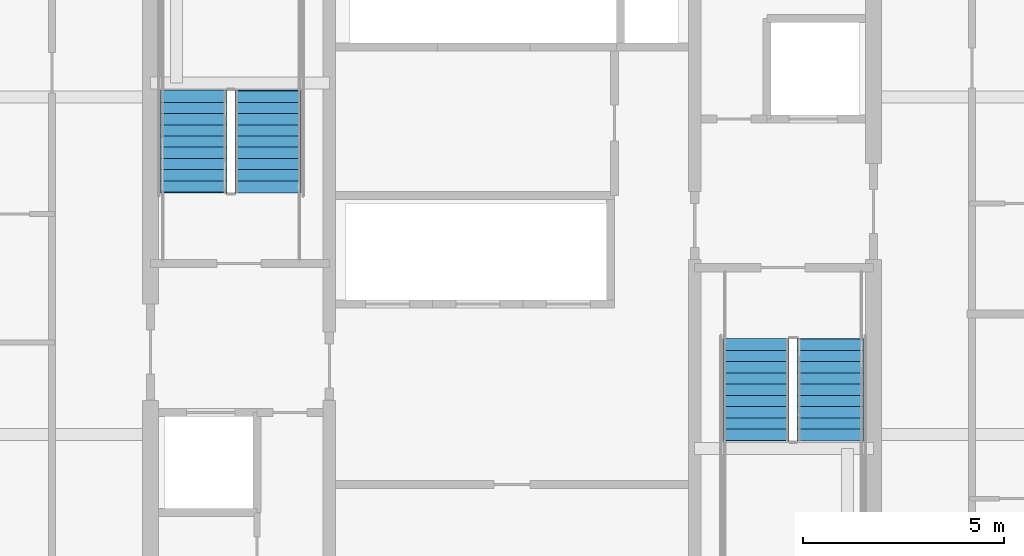
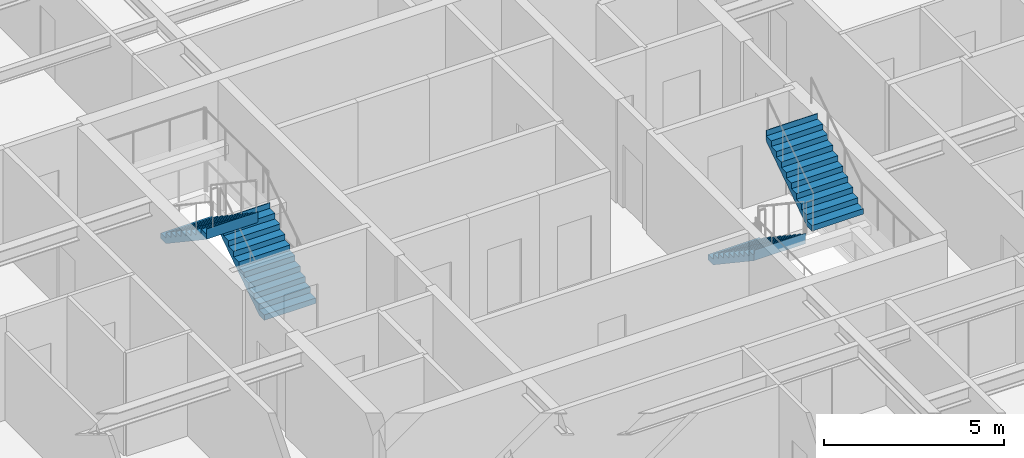
# One storey, part 33 of 38: 4 stair flights, 2 elements without a shape of their own.
"""IFC4 building model written with IfcOpenShell, lengths in metres."""

from ifc_helpers import new_model, si_unit, direction, frame, origin, place, context, subcontext, project, spatial, polygons, material, type_object, element, aggregate, save


model = new_model("IFC4")

# Units and contexts
model_context = context("Model", 3, precision=1e-05, world=origin(), true_north=direction((0.0, 1.0)))
body_context = subcontext(model_context, "Body", "Model", "MODEL_VIEW")
ifc_project = project(units=[si_unit("LENGTHUNIT", "METRE"), si_unit("AREAUNIT", "SQUARE_METRE"), si_unit("VOLUMEUNIT", "CUBIC_METRE"), si_unit("PLANEANGLEUNIT", "RADIAN"), si_unit("MASSUNIT", "GRAM", prefix="KILO")], contexts=[model_context])

# Site, building, storey
site_placement = place(None, origin())
site = spatial("IfcSite", under=ifc_project, at=site_placement, CompositionType="ELEMENT")
building_placement = place(site_placement, origin())
building = spatial("IfcBuilding", under=site, at=building_placement, Name="Serunith Strait Residences", CompositionType="ELEMENT")
storey_placement = place(building_placement, frame((0.0, 0.0, 183.89990234375)))
storey = spatial("IfcBuildingStorey", under=building, at=storey_placement, Name="L46", CompositionType="ELEMENT", Elevation=183.89990234375)

# Stair, stair flights
ifc_material = material(Name="Concrete C50/60", Category="concrete")
stair_type_1 = type_object("IfcStairType", Name="STR-CORE-1", PredefinedType="HALF_TURN_STAIR", material=ifc_material)
stair_1_placement = place(storey_placement, origin())
stair_1 = element("IfcStair", 1, at=stair_1_placement, inside=storey, type_object=stair_type_1, Name="L46 Protected Escape Stair ST-1", PredefinedType="HALF_TURN_STAIR")
stair_flight_type_1 = type_object("IfcStairFlightType", Name="FLT-CORE-1", PredefinedType="STRAIGHT", material=ifc_material)
stair_flight_1_placement = place(storey_placement, frame((26.324951171875, 27.030029296875, 0.0), z_axis=(0.0, 0.0, 1.0), x_axis=(0.0, 1.0, 0.0)))
stair_flight_1 = element("IfcStairFlight", 2, at=stair_flight_1_placement, type_object=stair_flight_type_1, Name="ST-1 flight 1", NumberOfRisers=10, NumberOfTreads=9, PredefinedType="STRAIGHT", RiserHeight=0.1875, TreadLength=0.28, context=body_context, shape_type="Tessellation", body=[
    polygons([(-0.02001953125, -0.824951171875, 0.0), (-0.02001953125, -0.824951171875, 0.1875), (0.280029296875, -0.824951171875, 0.1875), (0.280029296875, -0.824951171875, 0.375), (0.56005859375, -0.824951171875, 0.375), (0.56005859375, -0.824951171875, 0.5625), (0.840087890625, -0.824951171875, 0.5625), (0.840087890625, -0.824951171875, 0.75), (1.1201171875, -0.824951171875, 0.75), (1.1201171875, -0.824951171875, 0.9375), (1.39990234375, -0.824951171875, 0.9375), (1.39990234375, -0.824951171875, 1.125), (1.679931640625, -0.824951171875, 1.125), (1.679931640625, -0.824951171875, 1.3125), (1.9599609375, -0.824951171875, 1.3125), (1.9599609375, -0.824951171875, 1.5), (2.239990234375, -0.824951171875, 1.5), (2.239990234375, -0.824951171875, 1.6875), (2.52001953125, -0.824951171875, 1.6875), (2.52001953125, -0.824951171875, 1.875), (2.5400390625, -0.824951171875, 1.875), (2.5400390625, -0.824951171875, 1.81494140625), (2.52001953125, -0.824951171875, 1.507080078125), (0.26953125, -0.824951171875, 0.0), (-0.02001953125, -0.41259765625, 0.0), (-0.02001953125, -0.41259765625, 0.1875), (0.280029296875, -0.41259765625, 0.1875), (0.280029296875, -0.41259765625, 0.375), (0.56005859375, -0.41259765625, 0.375), (0.56005859375, -0.41259765625, 0.5625), (0.840087890625, -0.41259765625, 0.5625), (0.840087890625, -0.41259765625, 0.75), (1.1201171875, -0.41259765625, 0.75), (1.1201171875, -0.41259765625, 0.9375), (1.39990234375, -0.41259765625, 0.9375), (1.39990234375, -0.41259765625, 1.125), (1.679931640625, -0.41259765625, 1.125), (1.679931640625, -0.41259765625, 1.3125), (1.9599609375, -0.41259765625, 1.3125), (1.9599609375, -0.41259765625, 1.5), (2.239990234375, -0.41259765625, 1.5), (2.239990234375, -0.41259765625, 1.6875), (2.52001953125, -0.41259765625, 1.6875), (2.52001953125, -0.41259765625, 1.875), (2.5400390625, -0.41259765625, 1.875), (2.5400390625, -0.41259765625, 1.81494140625), (2.52001953125, -0.41259765625, 1.507080078125), (0.26953125, -0.41259765625, 0.0), (-0.02001953125, 0.0, 0.0), (-0.02001953125, 0.0, 0.1875), (0.280029296875, 0.0, 0.1875), (0.280029296875, 0.0, 0.375), (0.56005859375, 0.0, 0.375), (0.56005859375, 0.0, 0.5625), (0.840087890625, 0.0, 0.5625), (0.840087890625, 0.0, 0.75), (1.1201171875, 0.0, 0.75), (1.1201171875, 0.0, 0.9375), (1.39990234375, 0.0, 0.9375), (1.39990234375, 0.0, 1.125), (1.679931640625, 0.0, 1.125), (1.679931640625, 0.0, 1.3125), (1.9599609375, 0.0, 1.3125), (1.9599609375, 0.0, 1.5), (2.239990234375, 0.0, 1.5), (2.239990234375, 0.0, 1.6875), (2.52001953125, 0.0, 1.6875), (2.52001953125, 0.0, 1.875), (2.5400390625, 0.0, 1.875), (2.5400390625, 0.0, 1.81494140625), (2.52001953125, 0.0, 1.507080078125), (0.26953125, 0.0, 0.0), (-0.02001953125, 0.41259765625, 0.0), (-0.02001953125, 0.41259765625, 0.1875), (0.280029296875, 0.41259765625, 0.1875), (0.280029296875, 0.41259765625, 0.375), (0.56005859375, 0.41259765625, 0.375), (0.56005859375, 0.41259765625, 0.5625), (0.840087890625, 0.41259765625, 0.5625), (0.840087890625, 0.41259765625, 0.75), (1.1201171875, 0.41259765625, 0.75), (1.1201171875, 0.41259765625, 0.9375), (1.39990234375, 0.41259765625, 0.9375), (1.39990234375, 0.41259765625, 1.125), (1.679931640625, 0.41259765625, 1.125), (1.679931640625, 0.41259765625, 1.3125), (1.9599609375, 0.41259765625, 1.3125), (1.9599609375, 0.41259765625, 1.5), (2.239990234375, 0.41259765625, 1.5), (2.239990234375, 0.41259765625, 1.6875), (2.52001953125, 0.41259765625, 1.6875), (2.52001953125, 0.41259765625, 1.875), (2.5400390625, 0.41259765625, 1.875), (2.5400390625, 0.41259765625, 1.81494140625), (2.52001953125, 0.41259765625, 1.507080078125), (0.26953125, 0.41259765625, 0.0), (-0.02001953125, 0.824951171875, 0.0), (-0.02001953125, 0.824951171875, 0.1875), (0.280029296875, 0.824951171875, 0.1875), (0.280029296875, 0.824951171875, 0.375), (0.56005859375, 0.824951171875, 0.375), (0.56005859375, 0.824951171875, 0.5625), (0.840087890625, 0.824951171875, 0.5625), (0.840087890625, 0.824951171875, 0.75), (1.1201171875, 0.824951171875, 0.75), (1.1201171875, 0.824951171875, 0.9375), (1.39990234375, 0.824951171875, 0.9375), (1.39990234375, 0.824951171875, 1.125), (1.679931640625, 0.824951171875, 1.125), (1.679931640625, 0.824951171875, 1.3125), (1.9599609375, 0.824951171875, 1.3125), (1.9599609375, 0.824951171875, 1.5), (2.239990234375, 0.824951171875, 1.5), (2.239990234375, 0.824951171875, 1.6875), (2.52001953125, 0.824951171875, 1.6875), (2.52001953125, 0.824951171875, 1.875), (2.5400390625, 0.824951171875, 1.875), (2.5400390625, 0.824951171875, 1.81494140625), (2.52001953125, 0.824951171875, 1.507080078125), (0.26953125, 0.824951171875, 0.0)], [[[1, 2, 26, 25]], [[2, 3, 27, 26]], [[3, 4, 28, 27]], [[4, 5, 29, 28]], [[5, 6, 30, 29]], [[6, 7, 31, 30]], [[7, 8, 32, 31]], [[8, 9, 33, 32]], [[9, 10, 34, 33]], [[10, 11, 35, 34]], [[11, 12, 36, 35]], [[12, 13, 37, 36]], [[13, 14, 38, 37]], [[14, 15, 39, 38]], [[15, 16, 40, 39]], [[16, 17, 41, 40]], [[17, 18, 42, 41]], [[18, 19, 43, 42]], [[19, 20, 44, 43]], [[20, 21, 45, 44]], [[21, 22, 46, 45]], [[22, 23, 47, 46]], [[23, 24, 48, 47]], [[24, 1, 25, 48]], [[25, 26, 50, 49]], [[26, 27, 51, 50]], [[27, 28, 52, 51]], [[28, 29, 53, 52]], [[29, 30, 54, 53]], [[30, 31, 55, 54]], [[31, 32, 56, 55]], [[32, 33, 57, 56]], [[33, 34, 58, 57]], [[34, 35, 59, 58]], [[35, 36, 60, 59]], [[36, 37, 61, 60]], [[37, 38, 62, 61]], [[38, 39, 63, 62]], [[39, 40, 64, 63]], [[40, 41, 65, 64]], [[41, 42, 66, 65]], [[42, 43, 67, 66]], [[43, 44, 68, 67]], [[44, 45, 69, 68]], [[45, 46, 70, 69]], [[46, 47, 71, 70]], [[47, 48, 72, 71]], [[48, 25, 49, 72]], [[49, 50, 74, 73]], [[50, 51, 75, 74]], [[51, 52, 76, 75]], [[52, 53, 77, 76]], [[53, 54, 78, 77]], [[54, 55, 79, 78]], [[55, 56, 80, 79]], [[56, 57, 81, 80]], [[57, 58, 82, 81]], [[58, 59, 83, 82]], [[59, 60, 84, 83]], [[60, 61, 85, 84]], [[61, 62, 86, 85]], [[62, 63, 87, 86]], [[63, 64, 88, 87]], [[64, 65, 89, 88]], [[65, 66, 90, 89]], [[66, 67, 91, 90]], [[67, 68, 92, 91]], [[68, 69, 93, 92]], [[69, 70, 94, 93]], [[70, 71, 95, 94]], [[71, 72, 96, 95]], [[72, 49, 73, 96]], [[73, 74, 98, 97]], [[74, 75, 99, 98]], [[75, 76, 100, 99]], [[76, 77, 101, 100]], [[77, 78, 102, 101]], [[78, 79, 103, 102]], [[79, 80, 104, 103]], [[80, 81, 105, 104]], [[81, 82, 106, 105]], [[82, 83, 107, 106]], [[83, 84, 108, 107]], [[84, 85, 109, 108]], [[85, 86, 110, 109]], [[86, 87, 111, 110]], [[87, 88, 112, 111]], [[88, 89, 113, 112]], [[89, 90, 114, 113]], [[90, 91, 115, 114]], [[91, 92, 116, 115]], [[92, 93, 117, 116]], [[93, 94, 118, 117]], [[94, 95, 119, 118]], [[95, 96, 120, 119]], [[96, 73, 97, 120]], [[24, 23, 22, 21, 20, 19, 18, 17, 16, 15, 14, 13, 12, 11, 10, 9, 8, 7, 6, 5, 4, 3, 2, 1]], [[97, 98, 99, 100, 101, 102, 103, 104, 105, 106, 107, 108, 109, 110, 111, 112, 113, 114, 115, 116, 117, 118, 119, 120]]], closed=True),
])
stair_flight_2_placement = place(storey_placement, frame((24.47509765625, 29.550048828125, 1.875), z_axis=(0.0, 0.0, 1.0), x_axis=(0.0, -1.0, 0.0)))
stair_flight_2 = element("IfcStairFlight", 3, at=stair_flight_2_placement, type_object=stair_flight_type_1, Name="ST-1 flight 2", NumberOfRisers=10, NumberOfTreads=9, PredefinedType="STRAIGHT", RiserHeight=0.1875, TreadLength=0.28, context=body_context, shape_type="Tessellation", body=[
    polygons([(-0.02001953125, -0.824951171875, 0.0), (-0.02001953125, -0.824951171875, 0.1875), (0.280029296875, -0.824951171875, 0.1875), (0.280029296875, -0.824951171875, 0.375), (0.56005859375, -0.824951171875, 0.375), (0.56005859375, -0.824951171875, 0.5625), (0.840087890625, -0.824951171875, 0.5625), (0.840087890625, -0.824951171875, 0.75), (1.1201171875, -0.824951171875, 0.75), (1.1201171875, -0.824951171875, 0.9375), (1.39990234375, -0.824951171875, 0.9375), (1.39990234375, -0.824951171875, 1.125), (1.679931640625, -0.824951171875, 1.125), (1.679931640625, -0.824951171875, 1.3125), (1.9599609375, -0.824951171875, 1.3125), (1.9599609375, -0.824951171875, 1.5), (2.239990234375, -0.824951171875, 1.5), (2.239990234375, -0.824951171875, 1.6875), (2.52001953125, -0.824951171875, 1.6875), (2.52001953125, -0.824951171875, 1.875), (2.5400390625, -0.824951171875, 1.875), (2.5400390625, -0.824951171875, 1.81494140625), (2.52001953125, -0.824951171875, 1.507080078125), (0.26953125, -0.824951171875, 0.0), (-0.02001953125, -0.41259765625, 0.0), (-0.02001953125, -0.41259765625, 0.1875), (0.280029296875, -0.41259765625, 0.1875), (0.280029296875, -0.41259765625, 0.375), (0.56005859375, -0.41259765625, 0.375), (0.56005859375, -0.41259765625, 0.5625), (0.840087890625, -0.41259765625, 0.5625), (0.840087890625, -0.41259765625, 0.75), (1.1201171875, -0.41259765625, 0.75), (1.1201171875, -0.41259765625, 0.9375), (1.39990234375, -0.41259765625, 0.9375), (1.39990234375, -0.41259765625, 1.125), (1.679931640625, -0.41259765625, 1.125), (1.679931640625, -0.41259765625, 1.3125), (1.9599609375, -0.41259765625, 1.3125), (1.9599609375, -0.41259765625, 1.5), (2.239990234375, -0.41259765625, 1.5), (2.239990234375, -0.41259765625, 1.6875), (2.52001953125, -0.41259765625, 1.6875), (2.52001953125, -0.41259765625, 1.875), (2.5400390625, -0.41259765625, 1.875), (2.5400390625, -0.41259765625, 1.81494140625), (2.52001953125, -0.41259765625, 1.507080078125), (0.26953125, -0.41259765625, 0.0), (-0.02001953125, 0.0, 0.0), (-0.02001953125, 0.0, 0.1875), (0.280029296875, 0.0, 0.1875), (0.280029296875, 0.0, 0.375), (0.56005859375, 0.0, 0.375), (0.56005859375, 0.0, 0.5625), (0.840087890625, 0.0, 0.5625), (0.840087890625, 0.0, 0.75), (1.1201171875, 0.0, 0.75), (1.1201171875, 0.0, 0.9375), (1.39990234375, 0.0, 0.9375), (1.39990234375, 0.0, 1.125), (1.679931640625, 0.0, 1.125), (1.679931640625, 0.0, 1.3125), (1.9599609375, 0.0, 1.3125), (1.9599609375, 0.0, 1.5), (2.239990234375, 0.0, 1.5), (2.239990234375, 0.0, 1.6875), (2.52001953125, 0.0, 1.6875), (2.52001953125, 0.0, 1.875), (2.5400390625, 0.0, 1.875), (2.5400390625, 0.0, 1.81494140625), (2.52001953125, 0.0, 1.507080078125), (0.26953125, 0.0, 0.0), (-0.02001953125, 0.41259765625, 0.0), (-0.02001953125, 0.41259765625, 0.1875), (0.280029296875, 0.41259765625, 0.1875), (0.280029296875, 0.41259765625, 0.375), (0.56005859375, 0.41259765625, 0.375), (0.56005859375, 0.41259765625, 0.5625), (0.840087890625, 0.41259765625, 0.5625), (0.840087890625, 0.41259765625, 0.75), (1.1201171875, 0.41259765625, 0.75), (1.1201171875, 0.41259765625, 0.9375), (1.39990234375, 0.41259765625, 0.9375), (1.39990234375, 0.41259765625, 1.125), (1.679931640625, 0.41259765625, 1.125), (1.679931640625, 0.41259765625, 1.3125), (1.9599609375, 0.41259765625, 1.3125), (1.9599609375, 0.41259765625, 1.5), (2.239990234375, 0.41259765625, 1.5), (2.239990234375, 0.41259765625, 1.6875), (2.52001953125, 0.41259765625, 1.6875), (2.52001953125, 0.41259765625, 1.875), (2.5400390625, 0.41259765625, 1.875), (2.5400390625, 0.41259765625, 1.81494140625), (2.52001953125, 0.41259765625, 1.507080078125), (0.26953125, 0.41259765625, 0.0), (-0.02001953125, 0.824951171875, 0.0), (-0.02001953125, 0.824951171875, 0.1875), (0.280029296875, 0.824951171875, 0.1875), (0.280029296875, 0.824951171875, 0.375), (0.56005859375, 0.824951171875, 0.375), (0.56005859375, 0.824951171875, 0.5625), (0.840087890625, 0.824951171875, 0.5625), (0.840087890625, 0.824951171875, 0.75), (1.1201171875, 0.824951171875, 0.75), (1.1201171875, 0.824951171875, 0.9375), (1.39990234375, 0.824951171875, 0.9375), (1.39990234375, 0.824951171875, 1.125), (1.679931640625, 0.824951171875, 1.125), (1.679931640625, 0.824951171875, 1.3125), (1.9599609375, 0.824951171875, 1.3125), (1.9599609375, 0.824951171875, 1.5), (2.239990234375, 0.824951171875, 1.5), (2.239990234375, 0.824951171875, 1.6875), (2.52001953125, 0.824951171875, 1.6875), (2.52001953125, 0.824951171875, 1.875), (2.5400390625, 0.824951171875, 1.875), (2.5400390625, 0.824951171875, 1.81494140625), (2.52001953125, 0.824951171875, 1.507080078125), (0.26953125, 0.824951171875, 0.0)], [[[1, 2, 26, 25]], [[2, 3, 27, 26]], [[3, 4, 28, 27]], [[4, 5, 29, 28]], [[5, 6, 30, 29]], [[6, 7, 31, 30]], [[7, 8, 32, 31]], [[8, 9, 33, 32]], [[9, 10, 34, 33]], [[10, 11, 35, 34]], [[11, 12, 36, 35]], [[12, 13, 37, 36]], [[13, 14, 38, 37]], [[14, 15, 39, 38]], [[15, 16, 40, 39]], [[16, 17, 41, 40]], [[17, 18, 42, 41]], [[18, 19, 43, 42]], [[19, 20, 44, 43]], [[20, 21, 45, 44]], [[21, 22, 46, 45]], [[22, 23, 47, 46]], [[23, 24, 48, 47]], [[24, 1, 25, 48]], [[25, 26, 50, 49]], [[26, 27, 51, 50]], [[27, 28, 52, 51]], [[28, 29, 53, 52]], [[29, 30, 54, 53]], [[30, 31, 55, 54]], [[31, 32, 56, 55]], [[32, 33, 57, 56]], [[33, 34, 58, 57]], [[34, 35, 59, 58]], [[35, 36, 60, 59]], [[36, 37, 61, 60]], [[37, 38, 62, 61]], [[38, 39, 63, 62]], [[39, 40, 64, 63]], [[40, 41, 65, 64]], [[41, 42, 66, 65]], [[42, 43, 67, 66]], [[43, 44, 68, 67]], [[44, 45, 69, 68]], [[45, 46, 70, 69]], [[46, 47, 71, 70]], [[47, 48, 72, 71]], [[48, 25, 49, 72]], [[49, 50, 74, 73]], [[50, 51, 75, 74]], [[51, 52, 76, 75]], [[52, 53, 77, 76]], [[53, 54, 78, 77]], [[54, 55, 79, 78]], [[55, 56, 80, 79]], [[56, 57, 81, 80]], [[57, 58, 82, 81]], [[58, 59, 83, 82]], [[59, 60, 84, 83]], [[60, 61, 85, 84]], [[61, 62, 86, 85]], [[62, 63, 87, 86]], [[63, 64, 88, 87]], [[64, 65, 89, 88]], [[65, 66, 90, 89]], [[66, 67, 91, 90]], [[67, 68, 92, 91]], [[68, 69, 93, 92]], [[69, 70, 94, 93]], [[70, 71, 95, 94]], [[71, 72, 96, 95]], [[72, 49, 73, 96]], [[73, 74, 98, 97]], [[74, 75, 99, 98]], [[75, 76, 100, 99]], [[76, 77, 101, 100]], [[77, 78, 102, 101]], [[78, 79, 103, 102]], [[79, 80, 104, 103]], [[80, 81, 105, 104]], [[81, 82, 106, 105]], [[82, 83, 107, 106]], [[83, 84, 108, 107]], [[84, 85, 109, 108]], [[85, 86, 110, 109]], [[86, 87, 111, 110]], [[87, 88, 112, 111]], [[88, 89, 113, 112]], [[89, 90, 114, 113]], [[90, 91, 115, 114]], [[91, 92, 116, 115]], [[92, 93, 117, 116]], [[93, 94, 118, 117]], [[94, 95, 119, 118]], [[95, 96, 120, 119]], [[96, 73, 97, 120]], [[24, 23, 22, 21, 20, 19, 18, 17, 16, 15, 14, 13, 12, 11, 10, 9, 8, 7, 6, 5, 4, 3, 2, 1]], [[97, 98, 99, 100, 101, 102, 103, 104, 105, 106, 107, 108, 109, 110, 111, 112, 113, 114, 115, 116, 117, 118, 119, 120]]], closed=True),
])
aggregate(stair_1, [stair_flight_1, stair_flight_2])

stair_type_2 = type_object("IfcStairType", Name="STR-CORE-2", PredefinedType="HALF_TURN_STAIR", material=ifc_material)
stair_2_placement = place(storey_placement, origin())
stair_2 = element("IfcStair", 4, at=stair_2_placement, inside=storey, type_object=stair_type_2, Name="L46 Protected Escape Stair ST-2", PredefinedType="HALF_TURN_STAIR")
stair_flight_type_2 = type_object("IfcStairFlightType", Name="FLT-CORE-2", PredefinedType="STRAIGHT", material=ifc_material)
stair_flight_3_placement = place(storey_placement, frame((38.47509765625, 23.3701171875, 0.0), z_axis=(0.0, 0.0, 1.0), x_axis=(0.0, -1.0, 0.0)))
stair_flight_3 = element("IfcStairFlight", 5, at=stair_flight_3_placement, type_object=stair_flight_type_2, Name="ST-2 flight 1", NumberOfRisers=10, NumberOfTreads=9, PredefinedType="STRAIGHT", RiserHeight=0.1875, TreadLength=0.28, context=body_context, shape_type="Tessellation", body=[
    polygons([(-0.02001953125, -0.824951171875, 0.0), (-0.02001953125, -0.824951171875, 0.1875), (0.280029296875, -0.824951171875, 0.1875), (0.280029296875, -0.824951171875, 0.375), (0.56005859375, -0.824951171875, 0.375), (0.56005859375, -0.824951171875, 0.5625), (0.840087890625, -0.824951171875, 0.5625), (0.840087890625, -0.824951171875, 0.75), (1.1201171875, -0.824951171875, 0.75), (1.1201171875, -0.824951171875, 0.9375), (1.39990234375, -0.824951171875, 0.9375), (1.39990234375, -0.824951171875, 1.125), (1.679931640625, -0.824951171875, 1.125), (1.679931640625, -0.824951171875, 1.3125), (1.9599609375, -0.824951171875, 1.3125), (1.9599609375, -0.824951171875, 1.5), (2.239990234375, -0.824951171875, 1.5), (2.239990234375, -0.824951171875, 1.6875), (2.52001953125, -0.824951171875, 1.6875), (2.52001953125, -0.824951171875, 1.875), (2.5400390625, -0.824951171875, 1.875), (2.5400390625, -0.824951171875, 1.81494140625), (2.52001953125, -0.824951171875, 1.507080078125), (0.26953125, -0.824951171875, 0.0), (-0.02001953125, -0.41259765625, 0.0), (-0.02001953125, -0.41259765625, 0.1875), (0.280029296875, -0.41259765625, 0.1875), (0.280029296875, -0.41259765625, 0.375), (0.56005859375, -0.41259765625, 0.375), (0.56005859375, -0.41259765625, 0.5625), (0.840087890625, -0.41259765625, 0.5625), (0.840087890625, -0.41259765625, 0.75), (1.1201171875, -0.41259765625, 0.75), (1.1201171875, -0.41259765625, 0.9375), (1.39990234375, -0.41259765625, 0.9375), (1.39990234375, -0.41259765625, 1.125), (1.679931640625, -0.41259765625, 1.125), (1.679931640625, -0.41259765625, 1.3125), (1.9599609375, -0.41259765625, 1.3125), (1.9599609375, -0.41259765625, 1.5), (2.239990234375, -0.41259765625, 1.5), (2.239990234375, -0.41259765625, 1.6875), (2.52001953125, -0.41259765625, 1.6875), (2.52001953125, -0.41259765625, 1.875), (2.5400390625, -0.41259765625, 1.875), (2.5400390625, -0.41259765625, 1.81494140625), (2.52001953125, -0.41259765625, 1.507080078125), (0.26953125, -0.41259765625, 0.0), (-0.02001953125, 0.0, 0.0), (-0.02001953125, 0.0, 0.1875), (0.280029296875, 0.0, 0.1875), (0.280029296875, 0.0, 0.375), (0.56005859375, 0.0, 0.375), (0.56005859375, 0.0, 0.5625), (0.840087890625, 0.0, 0.5625), (0.840087890625, 0.0, 0.75), (1.1201171875, 0.0, 0.75), (1.1201171875, 0.0, 0.9375), (1.39990234375, 0.0, 0.9375), (1.39990234375, 0.0, 1.125), (1.679931640625, 0.0, 1.125), (1.679931640625, 0.0, 1.3125), (1.9599609375, 0.0, 1.3125), (1.9599609375, 0.0, 1.5), (2.239990234375, 0.0, 1.5), (2.239990234375, 0.0, 1.6875), (2.52001953125, 0.0, 1.6875), (2.52001953125, 0.0, 1.875), (2.5400390625, 0.0, 1.875), (2.5400390625, 0.0, 1.81494140625), (2.52001953125, 0.0, 1.507080078125), (0.26953125, 0.0, 0.0), (-0.02001953125, 0.41259765625, 0.0), (-0.02001953125, 0.41259765625, 0.1875), (0.280029296875, 0.41259765625, 0.1875), (0.280029296875, 0.41259765625, 0.375), (0.56005859375, 0.41259765625, 0.375), (0.56005859375, 0.41259765625, 0.5625), (0.840087890625, 0.41259765625, 0.5625), (0.840087890625, 0.41259765625, 0.75), (1.1201171875, 0.41259765625, 0.75), (1.1201171875, 0.41259765625, 0.9375), (1.39990234375, 0.41259765625, 0.9375), (1.39990234375, 0.41259765625, 1.125), (1.679931640625, 0.41259765625, 1.125), (1.679931640625, 0.41259765625, 1.3125), (1.9599609375, 0.41259765625, 1.3125), (1.9599609375, 0.41259765625, 1.5), (2.239990234375, 0.41259765625, 1.5), (2.239990234375, 0.41259765625, 1.6875), (2.52001953125, 0.41259765625, 1.6875), (2.52001953125, 0.41259765625, 1.875), (2.5400390625, 0.41259765625, 1.875), (2.5400390625, 0.41259765625, 1.81494140625), (2.52001953125, 0.41259765625, 1.507080078125), (0.26953125, 0.41259765625, 0.0), (-0.02001953125, 0.824951171875, 0.0), (-0.02001953125, 0.824951171875, 0.1875), (0.280029296875, 0.824951171875, 0.1875), (0.280029296875, 0.824951171875, 0.375), (0.56005859375, 0.824951171875, 0.375), (0.56005859375, 0.824951171875, 0.5625), (0.840087890625, 0.824951171875, 0.5625), (0.840087890625, 0.824951171875, 0.75), (1.1201171875, 0.824951171875, 0.75), (1.1201171875, 0.824951171875, 0.9375), (1.39990234375, 0.824951171875, 0.9375), (1.39990234375, 0.824951171875, 1.125), (1.679931640625, 0.824951171875, 1.125), (1.679931640625, 0.824951171875, 1.3125), (1.9599609375, 0.824951171875, 1.3125), (1.9599609375, 0.824951171875, 1.5), (2.239990234375, 0.824951171875, 1.5), (2.239990234375, 0.824951171875, 1.6875), (2.52001953125, 0.824951171875, 1.6875), (2.52001953125, 0.824951171875, 1.875), (2.5400390625, 0.824951171875, 1.875), (2.5400390625, 0.824951171875, 1.81494140625), (2.52001953125, 0.824951171875, 1.507080078125), (0.26953125, 0.824951171875, 0.0)], [[[1, 2, 26, 25]], [[2, 3, 27, 26]], [[3, 4, 28, 27]], [[4, 5, 29, 28]], [[5, 6, 30, 29]], [[6, 7, 31, 30]], [[7, 8, 32, 31]], [[8, 9, 33, 32]], [[9, 10, 34, 33]], [[10, 11, 35, 34]], [[11, 12, 36, 35]], [[12, 13, 37, 36]], [[13, 14, 38, 37]], [[14, 15, 39, 38]], [[15, 16, 40, 39]], [[16, 17, 41, 40]], [[17, 18, 42, 41]], [[18, 19, 43, 42]], [[19, 20, 44, 43]], [[20, 21, 45, 44]], [[21, 22, 46, 45]], [[22, 23, 47, 46]], [[23, 24, 48, 47]], [[24, 1, 25, 48]], [[25, 26, 50, 49]], [[26, 27, 51, 50]], [[27, 28, 52, 51]], [[28, 29, 53, 52]], [[29, 30, 54, 53]], [[30, 31, 55, 54]], [[31, 32, 56, 55]], [[32, 33, 57, 56]], [[33, 34, 58, 57]], [[34, 35, 59, 58]], [[35, 36, 60, 59]], [[36, 37, 61, 60]], [[37, 38, 62, 61]], [[38, 39, 63, 62]], [[39, 40, 64, 63]], [[40, 41, 65, 64]], [[41, 42, 66, 65]], [[42, 43, 67, 66]], [[43, 44, 68, 67]], [[44, 45, 69, 68]], [[45, 46, 70, 69]], [[46, 47, 71, 70]], [[47, 48, 72, 71]], [[48, 25, 49, 72]], [[49, 50, 74, 73]], [[50, 51, 75, 74]], [[51, 52, 76, 75]], [[52, 53, 77, 76]], [[53, 54, 78, 77]], [[54, 55, 79, 78]], [[55, 56, 80, 79]], [[56, 57, 81, 80]], [[57, 58, 82, 81]], [[58, 59, 83, 82]], [[59, 60, 84, 83]], [[60, 61, 85, 84]], [[61, 62, 86, 85]], [[62, 63, 87, 86]], [[63, 64, 88, 87]], [[64, 65, 89, 88]], [[65, 66, 90, 89]], [[66, 67, 91, 90]], [[67, 68, 92, 91]], [[68, 69, 93, 92]], [[69, 70, 94, 93]], [[70, 71, 95, 94]], [[71, 72, 96, 95]], [[72, 49, 73, 96]], [[73, 74, 98, 97]], [[74, 75, 99, 98]], [[75, 76, 100, 99]], [[76, 77, 101, 100]], [[77, 78, 102, 101]], [[78, 79, 103, 102]], [[79, 80, 104, 103]], [[80, 81, 105, 104]], [[81, 82, 106, 105]], [[82, 83, 107, 106]], [[83, 84, 108, 107]], [[84, 85, 109, 108]], [[85, 86, 110, 109]], [[86, 87, 111, 110]], [[87, 88, 112, 111]], [[88, 89, 113, 112]], [[89, 90, 114, 113]], [[90, 91, 115, 114]], [[91, 92, 116, 115]], [[92, 93, 117, 116]], [[93, 94, 118, 117]], [[94, 95, 119, 118]], [[95, 96, 120, 119]], [[96, 73, 97, 120]], [[24, 23, 22, 21, 20, 19, 18, 17, 16, 15, 14, 13, 12, 11, 10, 9, 8, 7, 6, 5, 4, 3, 2, 1]], [[97, 98, 99, 100, 101, 102, 103, 104, 105, 106, 107, 108, 109, 110, 111, 112, 113, 114, 115, 116, 117, 118, 119, 120]]], closed=True),
])
stair_flight_4_placement = place(storey_placement, frame((40.324951171875, 20.85009765625, 1.875), z_axis=(0.0, 0.0, 1.0), x_axis=(0.0, 1.0, 0.0)))
stair_flight_4 = element("IfcStairFlight", 6, at=stair_flight_4_placement, type_object=stair_flight_type_2, Name="ST-2 flight 2", NumberOfRisers=10, NumberOfTreads=9, PredefinedType="STRAIGHT", RiserHeight=0.1875, TreadLength=0.28, context=body_context, shape_type="Tessellation", body=[
    polygons([(-0.02001953125, -0.824951171875, 0.0), (-0.02001953125, -0.824951171875, 0.1875), (0.280029296875, -0.824951171875, 0.1875), (0.280029296875, -0.824951171875, 0.375), (0.56005859375, -0.824951171875, 0.375), (0.56005859375, -0.824951171875, 0.5625), (0.840087890625, -0.824951171875, 0.5625), (0.840087890625, -0.824951171875, 0.75), (1.1201171875, -0.824951171875, 0.75), (1.1201171875, -0.824951171875, 0.9375), (1.39990234375, -0.824951171875, 0.9375), (1.39990234375, -0.824951171875, 1.125), (1.679931640625, -0.824951171875, 1.125), (1.679931640625, -0.824951171875, 1.3125), (1.9599609375, -0.824951171875, 1.3125), (1.9599609375, -0.824951171875, 1.5), (2.239990234375, -0.824951171875, 1.5), (2.239990234375, -0.824951171875, 1.6875), (2.52001953125, -0.824951171875, 1.6875), (2.52001953125, -0.824951171875, 1.875), (2.5400390625, -0.824951171875, 1.875), (2.5400390625, -0.824951171875, 1.81494140625), (2.52001953125, -0.824951171875, 1.507080078125), (0.26953125, -0.824951171875, 0.0), (-0.02001953125, -0.41259765625, 0.0), (-0.02001953125, -0.41259765625, 0.1875), (0.280029296875, -0.41259765625, 0.1875), (0.280029296875, -0.41259765625, 0.375), (0.56005859375, -0.41259765625, 0.375), (0.56005859375, -0.41259765625, 0.5625), (0.840087890625, -0.41259765625, 0.5625), (0.840087890625, -0.41259765625, 0.75), (1.1201171875, -0.41259765625, 0.75), (1.1201171875, -0.41259765625, 0.9375), (1.39990234375, -0.41259765625, 0.9375), (1.39990234375, -0.41259765625, 1.125), (1.679931640625, -0.41259765625, 1.125), (1.679931640625, -0.41259765625, 1.3125), (1.9599609375, -0.41259765625, 1.3125), (1.9599609375, -0.41259765625, 1.5), (2.239990234375, -0.41259765625, 1.5), (2.239990234375, -0.41259765625, 1.6875), (2.52001953125, -0.41259765625, 1.6875), (2.52001953125, -0.41259765625, 1.875), (2.5400390625, -0.41259765625, 1.875), (2.5400390625, -0.41259765625, 1.81494140625), (2.52001953125, -0.41259765625, 1.507080078125), (0.26953125, -0.41259765625, 0.0), (-0.02001953125, 0.0, 0.0), (-0.02001953125, 0.0, 0.1875), (0.280029296875, 0.0, 0.1875), (0.280029296875, 0.0, 0.375), (0.56005859375, 0.0, 0.375), (0.56005859375, 0.0, 0.5625), (0.840087890625, 0.0, 0.5625), (0.840087890625, 0.0, 0.75), (1.1201171875, 0.0, 0.75), (1.1201171875, 0.0, 0.9375), (1.39990234375, 0.0, 0.9375), (1.39990234375, 0.0, 1.125), (1.679931640625, 0.0, 1.125), (1.679931640625, 0.0, 1.3125), (1.9599609375, 0.0, 1.3125), (1.9599609375, 0.0, 1.5), (2.239990234375, 0.0, 1.5), (2.239990234375, 0.0, 1.6875), (2.52001953125, 0.0, 1.6875), (2.52001953125, 0.0, 1.875), (2.5400390625, 0.0, 1.875), (2.5400390625, 0.0, 1.81494140625), (2.52001953125, 0.0, 1.507080078125), (0.26953125, 0.0, 0.0), (-0.02001953125, 0.41259765625, 0.0), (-0.02001953125, 0.41259765625, 0.1875), (0.280029296875, 0.41259765625, 0.1875), (0.280029296875, 0.41259765625, 0.375), (0.56005859375, 0.41259765625, 0.375), (0.56005859375, 0.41259765625, 0.5625), (0.840087890625, 0.41259765625, 0.5625), (0.840087890625, 0.41259765625, 0.75), (1.1201171875, 0.41259765625, 0.75), (1.1201171875, 0.41259765625, 0.9375), (1.39990234375, 0.41259765625, 0.9375), (1.39990234375, 0.41259765625, 1.125), (1.679931640625, 0.41259765625, 1.125), (1.679931640625, 0.41259765625, 1.3125), (1.9599609375, 0.41259765625, 1.3125), (1.9599609375, 0.41259765625, 1.5), (2.239990234375, 0.41259765625, 1.5), (2.239990234375, 0.41259765625, 1.6875), (2.52001953125, 0.41259765625, 1.6875), (2.52001953125, 0.41259765625, 1.875), (2.5400390625, 0.41259765625, 1.875), (2.5400390625, 0.41259765625, 1.81494140625), (2.52001953125, 0.41259765625, 1.507080078125), (0.26953125, 0.41259765625, 0.0), (-0.02001953125, 0.824951171875, 0.0), (-0.02001953125, 0.824951171875, 0.1875), (0.280029296875, 0.824951171875, 0.1875), (0.280029296875, 0.824951171875, 0.375), (0.56005859375, 0.824951171875, 0.375), (0.56005859375, 0.824951171875, 0.5625), (0.840087890625, 0.824951171875, 0.5625), (0.840087890625, 0.824951171875, 0.75), (1.1201171875, 0.824951171875, 0.75), (1.1201171875, 0.824951171875, 0.9375), (1.39990234375, 0.824951171875, 0.9375), (1.39990234375, 0.824951171875, 1.125), (1.679931640625, 0.824951171875, 1.125), (1.679931640625, 0.824951171875, 1.3125), (1.9599609375, 0.824951171875, 1.3125), (1.9599609375, 0.824951171875, 1.5), (2.239990234375, 0.824951171875, 1.5), (2.239990234375, 0.824951171875, 1.6875), (2.52001953125, 0.824951171875, 1.6875), (2.52001953125, 0.824951171875, 1.875), (2.5400390625, 0.824951171875, 1.875), (2.5400390625, 0.824951171875, 1.81494140625), (2.52001953125, 0.824951171875, 1.507080078125), (0.26953125, 0.824951171875, 0.0)], [[[1, 2, 26, 25]], [[2, 3, 27, 26]], [[3, 4, 28, 27]], [[4, 5, 29, 28]], [[5, 6, 30, 29]], [[6, 7, 31, 30]], [[7, 8, 32, 31]], [[8, 9, 33, 32]], [[9, 10, 34, 33]], [[10, 11, 35, 34]], [[11, 12, 36, 35]], [[12, 13, 37, 36]], [[13, 14, 38, 37]], [[14, 15, 39, 38]], [[15, 16, 40, 39]], [[16, 17, 41, 40]], [[17, 18, 42, 41]], [[18, 19, 43, 42]], [[19, 20, 44, 43]], [[20, 21, 45, 44]], [[21, 22, 46, 45]], [[22, 23, 47, 46]], [[23, 24, 48, 47]], [[24, 1, 25, 48]], [[25, 26, 50, 49]], [[26, 27, 51, 50]], [[27, 28, 52, 51]], [[28, 29, 53, 52]], [[29, 30, 54, 53]], [[30, 31, 55, 54]], [[31, 32, 56, 55]], [[32, 33, 57, 56]], [[33, 34, 58, 57]], [[34, 35, 59, 58]], [[35, 36, 60, 59]], [[36, 37, 61, 60]], [[37, 38, 62, 61]], [[38, 39, 63, 62]], [[39, 40, 64, 63]], [[40, 41, 65, 64]], [[41, 42, 66, 65]], [[42, 43, 67, 66]], [[43, 44, 68, 67]], [[44, 45, 69, 68]], [[45, 46, 70, 69]], [[46, 47, 71, 70]], [[47, 48, 72, 71]], [[48, 25, 49, 72]], [[49, 50, 74, 73]], [[50, 51, 75, 74]], [[51, 52, 76, 75]], [[52, 53, 77, 76]], [[53, 54, 78, 77]], [[54, 55, 79, 78]], [[55, 56, 80, 79]], [[56, 57, 81, 80]], [[57, 58, 82, 81]], [[58, 59, 83, 82]], [[59, 60, 84, 83]], [[60, 61, 85, 84]], [[61, 62, 86, 85]], [[62, 63, 87, 86]], [[63, 64, 88, 87]], [[64, 65, 89, 88]], [[65, 66, 90, 89]], [[66, 67, 91, 90]], [[67, 68, 92, 91]], [[68, 69, 93, 92]], [[69, 70, 94, 93]], [[70, 71, 95, 94]], [[71, 72, 96, 95]], [[72, 49, 73, 96]], [[73, 74, 98, 97]], [[74, 75, 99, 98]], [[75, 76, 100, 99]], [[76, 77, 101, 100]], [[77, 78, 102, 101]], [[78, 79, 103, 102]], [[79, 80, 104, 103]], [[80, 81, 105, 104]], [[81, 82, 106, 105]], [[82, 83, 107, 106]], [[83, 84, 108, 107]], [[84, 85, 109, 108]], [[85, 86, 110, 109]], [[86, 87, 111, 110]], [[87, 88, 112, 111]], [[88, 89, 113, 112]], [[89, 90, 114, 113]], [[90, 91, 115, 114]], [[91, 92, 116, 115]], [[92, 93, 117, 116]], [[93, 94, 118, 117]], [[94, 95, 119, 118]], [[95, 96, 120, 119]], [[96, 73, 97, 120]], [[24, 23, 22, 21, 20, 19, 18, 17, 16, 15, 14, 13, 12, 11, 10, 9, 8, 7, 6, 5, 4, 3, 2, 1]], [[97, 98, 99, 100, 101, 102, 103, 104, 105, 106, 107, 108, 109, 110, 111, 112, 113, 114, 115, 116, 117, 118, 119, 120]]], closed=True),
])
aggregate(stair_2, [stair_flight_3, stair_flight_4])

save(model, "model.ifc")
